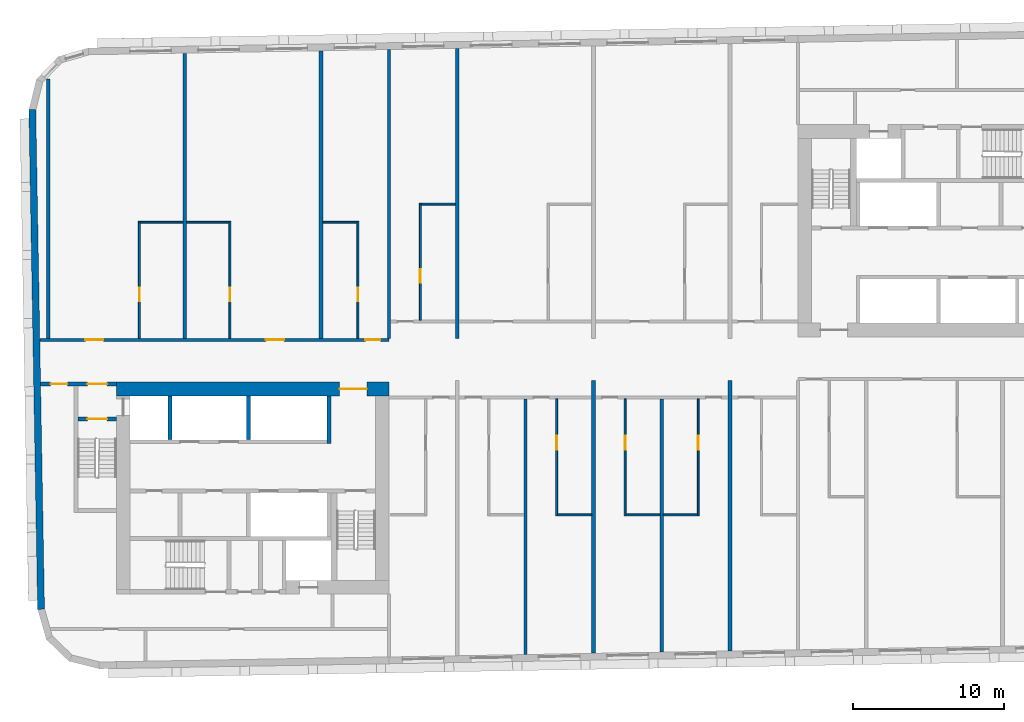
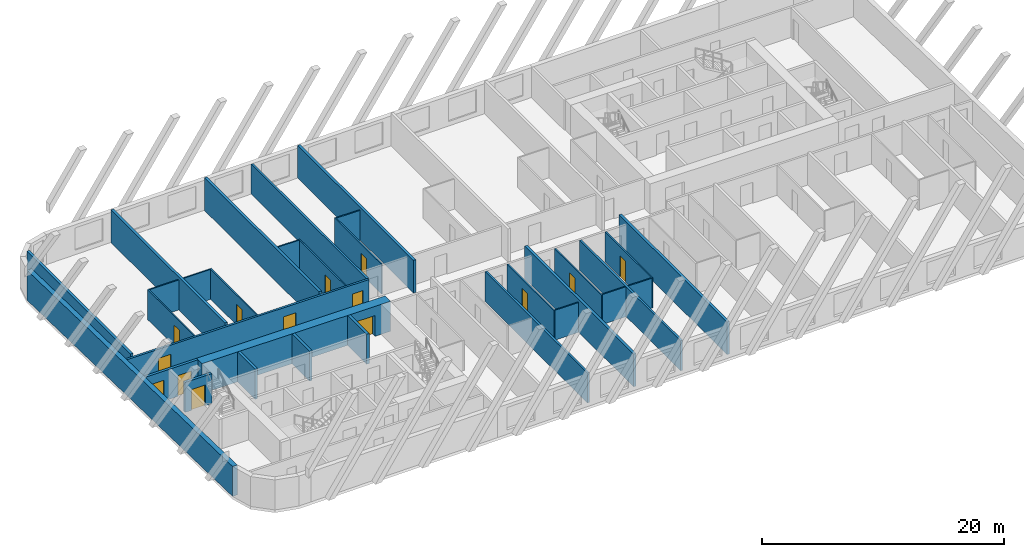
# One storey, part 3 of 12: 31 walls, 14 doors, 14 openings.
"""IFC4 building model written with IfcOpenShell, lengths in metres."""

from ifc_helpers import new_model, si_unit, direction, frame, frame_2d, origin, place, context, subcontext, project, spatial, rectangle, extrude, material, layer, layer_set, type_object, element, fill, save


model = new_model("IFC4")

# Units and contexts
model_context = context("Model", 3, precision=1e-05, world=origin(), true_north=direction((0.0, 1.0)))
body_context = subcontext(model_context, "Body", "Model", "MODEL_VIEW")
ifc_project = project(units=[si_unit("LENGTHUNIT", "METRE"), si_unit("AREAUNIT", "SQUARE_METRE"), si_unit("VOLUMEUNIT", "CUBIC_METRE"), si_unit("PLANEANGLEUNIT", "RADIAN"), si_unit("MASSUNIT", "GRAM", prefix="KILO")], contexts=[model_context])

# Site, building, storey
site_placement = place(None, origin())
site = spatial("IfcSite", under=ifc_project, at=site_placement, CompositionType="ELEMENT")
building_placement = place(site_placement, origin())
building = spatial("IfcBuilding", under=site, at=building_placement, Name="Kajstack Hotel Tower", CompositionType="ELEMENT")
storey_placement = place(building_placement, frame((0.0, 0.0, 247.39990234375)))
storey = spatial("IfcBuildingStorey", under=building, at=storey_placement, Name="L61", CompositionType="ELEMENT", Elevation=247.39990234375)

# Wall, opening, door
ifc_material_1 = material(Name="Concrete C60/75", Category="concrete")
ifc_layer_1 = layer(ifc_material_1, 0.89990234375)
ifc_layer_set_1 = layer_set([ifc_layer_1], Name="Core wall 900")
wall_type_1 = type_object("IfcWallType", Name="Core wall 900", PredefinedType="SHEAR", material=ifc_layer_set_1)
wall_1_placement = place(storey_placement, frame((-31.5, -1.949951171875, 0.0), z_axis=(0.0, 0.0, 1.0), x_axis=(1.0, 0.0, 0.0)))
wall_1 = element("IfcWall", 1, at=wall_1_placement, inside=storey, type_object=wall_type_1, Name="Core wall W RN", PredefinedType="SHEAR", context=body_context, shape_type="SweptSolid", body=[
    extrude(rectangle(XDim=18.0, YDim=0.89990234375, at=frame_2d((9.0, 0.0))), origin(), (0.0, 0.0, 1.0), 3.02001953125),
])
opening_1_placement = place(wall_1_placement, frame((14.72509765625, 0.0, 0.0)))
opening_1 = element("IfcOpeningElement", 2, at=opening_1_placement, cuts=wall_1, Name="Opening 61W07", PredefinedType="OPENING", context=body_context, shape_type="SweptSolid", body=[
    extrude(rectangle(XDim=1.800048828125, YDim=2.10009765625, at=frame_2d((0.89990234375, 1.050048828125))), frame((0.0, 0.4599609375, 0.0), z_axis=(0.0, -1.0, 0.0), x_axis=(1.0, 0.0, 0.0)), (0.0, 0.0, 1.0), 0.919921875),
])
ifc_material_2 = material(Name="Glazed steel frame, fire-rated glass", Category="steel")
door_type_1 = type_object("IfcDoorType", Name="Lobby double door 1800", OperationType="DOUBLE_DOOR_DOUBLE_SWING", PredefinedType="DOOR", material=ifc_material_2)
door_1_placement = place(opening_1_placement, origin())
door_1 = element("IfcDoor", 3, at=door_1_placement, inside=storey, type_object=door_type_1, Name="Door 61W07", OperationType="DOUBLE_DOOR_DOUBLE_SWING", OverallHeight=2.10009765625, OverallWidth=1.800048828125, PredefinedType="DOOR", context=body_context, shape_type="SweptSolid", body=[
    extrude(rectangle(XDim=1.800048828125, YDim=2.10009765625, at=frame_2d((0.89990234375, 1.050048828125))), frame((0.0, 0.02490234375, 0.0), z_axis=(0.0, -1.0, 0.0), x_axis=(1.0, 0.0, 0.0)), (0.0, 0.0, 1.0), 0.050048828125),
])
fill(opening_1, door_1)

# Wall, openings, doors
ifc_material_3 = material(Name="Gypsum board on steel studs, mineral wool", Category="steel")
ifc_layer_2 = layer(ifc_material_3, 0.199951171875)
ifc_layer_set_2 = layer_set([ifc_layer_2], Name="Corridor wall 200")
wall_type_2 = type_object("IfcWallType", Name="Corridor wall 200", PredefinedType="PARTITIONING", material=ifc_layer_set_2)
wall_2_placement = place(storey_placement, frame((-36.56591796875, 1.300048828125, 0.0), z_axis=(0.0, 0.0, 1.0), x_axis=(1.0, 0.0, 0.0)))
wall_2 = element("IfcWall", 4, at=wall_2_placement, inside=storey, type_object=wall_type_2, Name="G-wall-L61-003", PredefinedType="PARTITIONING", context=body_context, shape_type="SweptSolid", body=[
    extrude(rectangle(XDim=23.06591796875, YDim=0.199951171875, at=frame_2d((11.532958984375, 0.0))), origin(), (0.0, 0.0, 1.0), 3.02001953125),
])
opening_2_placement = place(wall_2_placement, frame((3.00390625, 0.0, 0.0)))
opening_2 = element("IfcOpeningElement", 5, at=opening_2_placement, cuts=wall_2, Name="Opening 61001", PredefinedType="OPENING", context=body_context, shape_type="SweptSolid", body=[
    extrude(rectangle(XDim=1.199951171875, YDim=2.10009765625, at=frame_2d((0.60009765625, 1.050048828125))), frame((0.0, 0.10986328125, 0.0), z_axis=(0.0, -1.0, 0.0), x_axis=(1.0, 0.0, 0.0)), (0.0, 0.0, 1.0), 0.219970703125),
])
opening_3_placement = place(wall_2_placement, frame((14.928955078125, 0.0, 0.0)))
opening_3 = element("IfcOpeningElement", 6, at=opening_3_placement, cuts=wall_2, Name="Opening 61003", PredefinedType="OPENING", context=body_context, shape_type="SweptSolid", body=[
    extrude(rectangle(XDim=1.199951171875, YDim=2.10009765625, at=frame_2d((0.60009765625, 1.050048828125))), frame((0.0, 0.10986328125, 0.0), z_axis=(0.0, -1.0, 0.0), x_axis=(1.0, 0.0, 0.0)), (0.0, 0.0, 1.0), 0.219970703125),
])
opening_4_placement = place(wall_2_placement, frame((21.490966796875, 0.0, 0.0)))
opening_4 = element("IfcOpeningElement", 7, at=opening_4_placement, cuts=wall_2, Name="Opening 61005", PredefinedType="OPENING", context=body_context, shape_type="SweptSolid", body=[
    extrude(rectangle(XDim=1.0, YDim=2.10009765625, at=frame_2d((0.5, 1.050048828125))), frame((0.0, 0.10986328125, 0.0), z_axis=(0.0, -1.0, 0.0), x_axis=(1.0, 0.0, 0.0)), (0.0, 0.0, 1.0), 0.219970703125),
])
ifc_material_4 = material(Name="Oak veneer on timber core, fire-rated leaf", Category="wood")
door_type_2 = type_object("IfcDoorType", Name="Flat entrance door 1000", OperationType="SINGLE_SWING_LEFT", PredefinedType="DOOR", material=ifc_material_4)
door_2_placement = place(opening_4_placement, origin())
door_2 = element("IfcDoor", 8, at=door_2_placement, inside=storey, type_object=door_type_2, Name="G-door-L61-05", OperationType="SINGLE_SWING_RIGHT", OverallHeight=2.10009765625, OverallWidth=1.0, PredefinedType="DOOR", context=body_context, shape_type="SweptSolid", body=[
    extrude(rectangle(XDim=1.0, YDim=2.10009765625, at=frame_2d((0.5, 1.050048828125))), frame((0.0, 0.02490234375, 0.0), z_axis=(0.0, -1.0, 0.0), x_axis=(1.0, 0.0, 0.0)), (0.0, 0.0, 1.0), 0.050048828125),
])
fill(opening_4, door_2)
door_type_3 = type_object("IfcDoorType", Name="Flat entrance door 1200", OperationType="SINGLE_SWING_LEFT", PredefinedType="DOOR", material=ifc_material_4)
door_3_placement = place(opening_2_placement, origin())
door_3 = element("IfcDoor", 9, at=door_3_placement, inside=storey, type_object=door_type_3, Name="G-door-L61-01", OperationType="SINGLE_SWING_LEFT", OverallHeight=2.10009765625, OverallWidth=1.199951171875, PredefinedType="DOOR", context=body_context, shape_type="SweptSolid", body=[
    extrude(rectangle(XDim=1.199951171875, YDim=2.10009765625, at=frame_2d((0.60009765625, 1.050048828125))), frame((0.0, 0.02490234375, 0.0), z_axis=(0.0, -1.0, 0.0), x_axis=(1.0, 0.0, 0.0)), (0.0, 0.0, 1.0), 0.050048828125),
])
fill(opening_2, door_3)
door_4_placement = place(opening_3_placement, origin())
door_4 = element("IfcDoor", 10, at=door_4_placement, inside=storey, type_object=door_type_3, Name="G-door-L61-03", OperationType="SINGLE_SWING_RIGHT", OverallHeight=2.10009765625, OverallWidth=1.199951171875, PredefinedType="DOOR", context=body_context, shape_type="SweptSolid", body=[
    extrude(rectangle(XDim=1.199951171875, YDim=2.10009765625, at=frame_2d((0.60009765625, 1.050048828125))), frame((0.0, 0.02490234375, 0.0), z_axis=(0.0, -1.0, 0.0), x_axis=(1.0, 0.0, 0.0)), (0.0, 0.0, 1.0), 0.050048828125),
])
fill(opening_3, door_4)

# Walls
ifc_material_5 = material(Name="Twin-frame gypsum board on steel studs, mineral wool", Category="steel")
ifc_layer_3 = layer(ifc_material_5, 0.199951171875)
ifc_layer_set_3 = layer_set([ifc_layer_3], Name="Demising wall 200")
wall_type_3 = type_object("IfcWallType", Name="Demising wall 200", PredefinedType="PARTITIONING", material=ifc_layer_set_3)
wall_3_placement = place(storey_placement, frame((-13.5, 1.39990234375, 0.0), z_axis=(0.0, 0.0, 1.0), x_axis=(0.0, 1.0, 0.0)))
element("IfcWall", 11, at=wall_3_placement, inside=storey, type_object=wall_type_3, Name="G-wall-L61-009", PredefinedType="PARTITIONING", context=body_context, shape_type="SweptSolid", body=[
    extrude(rectangle(XDim=19.065185546875, YDim=0.199951171875, at=frame_2d((9.53271484375, 0.0))), origin(), (0.0, 0.0, 1.0), 3.02001953125),
])
wall_4_placement = place(storey_placement, frame((-4.5, -19.48388671875, 0.0), z_axis=(0.0, 0.0, 1.0), x_axis=(0.0, 1.0, 0.0)))
element("IfcWall", 12, at=wall_4_placement, inside=storey, type_object=wall_type_3, Name="G-wall-L61-024", PredefinedType="PARTITIONING", context=body_context, shape_type="SweptSolid", body=[
    extrude(rectangle(XDim=16.8837890625, YDim=0.199951171875, at=frame_2d((8.44189453125, 0.0))), origin(), (0.0, 0.0, 1.0), 3.02001953125),
])
wall_5_placement = place(storey_placement, frame((4.5, -19.326904296875, 0.0), z_axis=(0.0, 0.0, 1.0), x_axis=(0.0, 1.0, 0.0)))
element("IfcWall", 13, at=wall_5_placement, inside=storey, type_object=wall_type_3, Name="G-wall-L61-029", PredefinedType="PARTITIONING", context=body_context, shape_type="SweptSolid", body=[
    extrude(rectangle(XDim=16.726806640625, YDim=0.199951171875, at=frame_2d((8.36328125, 0.0))), origin(), (0.0, 0.0, 1.0), 3.02001953125),
])
ifc_material_6 = material(Name="Terracotta-faced brick masonry", Category="masonry")
ifc_layer_4 = layer(ifc_material_6, 0.449951171875)
ifc_layer_set_4 = layer_set([ifc_layer_4], Name="EW-TERRA")
wall_type_4 = type_object("IfcWallType", Name="EW-TERRA", PredefinedType="SOLIDWALL", material=ifc_layer_set_4)
wall_6_placement = place(storey_placement, frame((-37.056884765625, 16.50341796875, 0.0), z_axis=(0.0, 0.0, 1.0), x_axis=(0.017452279857, -0.999847697366, 0.0)))
element("IfcWall", 14, at=wall_6_placement, inside=storey, type_object=wall_type_4, Name="E-wall-L61-00-00", PredefinedType="SOLIDWALL", context=body_context, shape_type="SweptSolid", body=[
    extrude(rectangle(XDim=33.000244140625, YDim=0.449951171875, at=frame_2d((16.5, 0.0))), origin(), (0.0, 0.0, 1.0), 3.02001953125),
])

# Wall, opening, door
ifc_material_7 = material(Name="Gypsum board and tiled backer on steel studs", Category="steel")
ifc_layer_5 = layer(ifc_material_7, 0.125)
ifc_layer_set_5 = layer_set([ifc_layer_5], Name="En-suite wall 125")
wall_type_5 = type_object("IfcWallType", Name="En-suite wall 125", PredefinedType="PARTITIONING", material=ifc_layer_set_5)
wall_7_placement = place(storey_placement, frame((-29.988037109375, 1.39990234375, 0.0), z_axis=(0.0, 0.0, 1.0), x_axis=(0.0, 1.0, 0.0)))
wall_7 = element("IfcWall", 15, at=wall_7_placement, inside=storey, type_object=wall_type_5, Name="G-wall-L61-005", PredefinedType="PARTITIONING", context=body_context, shape_type="SweptSolid", body=[
    extrude(rectangle(XDim=7.72509765625, YDim=0.125, at=frame_2d((3.862548828125, 0.0))), origin(), (0.0, 0.0, 1.0), 3.02001953125),
])
opening_5_placement = place(wall_7_placement, frame((2.449951171875, 0.0, 0.0)))
opening_5 = element("IfcOpeningElement", 16, at=opening_5_placement, cuts=wall_7, Name="Opening 61002", PredefinedType="OPENING", context=body_context, shape_type="SweptSolid", body=[
    extrude(rectangle(XDim=0.89990234375, YDim=2.10009765625, at=frame_2d((0.449951171875, 1.050048828125))), frame((0.0, 0.072509765625, 0.0), z_axis=(0.0, -1.0, 0.0), x_axis=(1.0, 0.0, 0.0)), (0.0, 0.0, 1.0), 0.14501953125),
])
ifc_material_8 = material(Name="Painted timber door leaf", Category="wood")
door_type_4 = type_object("IfcDoorType", Name="Room door 900", OperationType="SINGLE_SWING_LEFT", PredefinedType="DOOR", material=ifc_material_8)
door_5_placement = place(opening_5_placement, origin())
door_5 = element("IfcDoor", 17, at=door_5_placement, inside=storey, type_object=door_type_4, Name="G-door-L61-02", OperationType="SINGLE_SWING_RIGHT", OverallHeight=2.10009765625, OverallWidth=0.89990234375, PredefinedType="DOOR", context=body_context, shape_type="SweptSolid", body=[
    extrude(rectangle(XDim=0.89990234375, YDim=2.10009765625, at=frame_2d((0.449951171875, 1.050048828125))), frame((0.0, 0.02490234375, 0.0), z_axis=(0.0, -1.0, 0.0), x_axis=(1.0, 0.0, 0.0)), (0.0, 0.0, 1.0), 0.050048828125),
])
fill(opening_5, door_5)

# Wall
wall_8_placement = place(storey_placement, frame((-29.925048828125, 9.06201171875, 0.0), z_axis=(0.0, 0.0, 1.0), x_axis=(1.0, 0.0, 0.0)))
element("IfcWall", 18, at=wall_8_placement, inside=storey, type_object=wall_type_5, Name="G-wall-L61-006", PredefinedType="PARTITIONING", context=body_context, shape_type="SweptSolid", body=[
    extrude(rectangle(XDim=2.800048828125, YDim=0.125, at=frame_2d((1.39990234375, 0.0))), origin(), (0.0, 0.0, 1.0), 3.02001953125),
])

# Wall, opening, door
wall_9_placement = place(storey_placement, frame((-24.011962890625, 1.39990234375, 0.0), z_axis=(0.0, 0.0, 1.0), x_axis=(0.0, 1.0, 0.0)))
wall_9 = element("IfcWall", 19, at=wall_9_placement, inside=storey, type_object=wall_type_5, Name="G-wall-L61-007", PredefinedType="PARTITIONING", context=body_context, shape_type="SweptSolid", body=[
    extrude(rectangle(XDim=7.72509765625, YDim=0.125, at=frame_2d((3.862548828125, 0.0))), origin(), (0.0, 0.0, 1.0), 3.02001953125),
])
opening_6_placement = place(wall_9_placement, frame((2.449951171875, 0.0, 0.0)))
opening_6 = element("IfcOpeningElement", 20, at=opening_6_placement, cuts=wall_9, Name="Opening 61004", PredefinedType="OPENING", context=body_context, shape_type="SweptSolid", body=[
    extrude(rectangle(XDim=0.89990234375, YDim=2.10009765625, at=frame_2d((0.449951171875, 1.050048828125))), frame((0.0, 0.072509765625, 0.0), z_axis=(0.0, -1.0, 0.0), x_axis=(1.0, 0.0, 0.0)), (0.0, 0.0, 1.0), 0.14501953125),
])
door_6_placement = place(opening_6_placement, origin())
door_6 = element("IfcDoor", 21, at=door_6_placement, inside=storey, type_object=door_type_4, Name="G-door-L61-04", OperationType="SINGLE_SWING_LEFT", OverallHeight=2.10009765625, OverallWidth=0.89990234375, PredefinedType="DOOR", context=body_context, shape_type="SweptSolid", body=[
    extrude(rectangle(XDim=0.89990234375, YDim=2.10009765625, at=frame_2d((0.449951171875, 1.050048828125))), frame((0.0, 0.02490234375, 0.0), z_axis=(0.0, -1.0, 0.0), x_axis=(1.0, 0.0, 0.0)), (0.0, 0.0, 1.0), 0.050048828125),
])
fill(opening_6, door_6)

# Wall
wall_10_placement = place(storey_placement, frame((-26.875, 9.06201171875, 0.0), z_axis=(0.0, 0.0, 1.0), x_axis=(1.0, 0.0, 0.0)))
element("IfcWall", 22, at=wall_10_placement, inside=storey, type_object=wall_type_5, Name="G-wall-L61-008", PredefinedType="PARTITIONING", context=body_context, shape_type="SweptSolid", body=[
    extrude(rectangle(XDim=2.800048828125, YDim=0.125, at=frame_2d((1.39990234375, 0.0))), origin(), (0.0, 0.0, 1.0), 3.02001953125),
])

# Wall, opening, door
wall_11_placement = place(storey_placement, frame((-15.56201171875, 1.39990234375, 0.0), z_axis=(0.0, 0.0, 1.0), x_axis=(0.0, 1.0, 0.0)))
wall_11 = element("IfcWall", 23, at=wall_11_placement, inside=storey, type_object=wall_type_5, Name="G-wall-L61-010", PredefinedType="PARTITIONING", context=body_context, shape_type="SweptSolid", body=[
    extrude(rectangle(XDim=7.72509765625, YDim=0.125, at=frame_2d((3.862548828125, 0.0))), origin(), (0.0, 0.0, 1.0), 3.02001953125),
])
opening_7_placement = place(wall_11_placement, frame((2.449951171875, 0.0, 0.0)))
opening_7 = element("IfcOpeningElement", 24, at=opening_7_placement, cuts=wall_11, Name="Opening 61006", PredefinedType="OPENING", context=body_context, shape_type="SweptSolid", body=[
    extrude(rectangle(XDim=0.89990234375, YDim=2.10009765625, at=frame_2d((0.449951171875, 1.050048828125))), frame((0.0, 0.072509765625, 0.0), z_axis=(0.0, -1.0, 0.0), x_axis=(1.0, 0.0, 0.0)), (0.0, 0.0, 1.0), 0.14501953125),
])
door_7_placement = place(opening_7_placement, origin())
door_7 = element("IfcDoor", 25, at=door_7_placement, inside=storey, type_object=door_type_4, Name="G-door-L61-06", OperationType="SINGLE_SWING_LEFT", OverallHeight=2.10009765625, OverallWidth=0.89990234375, PredefinedType="DOOR", context=body_context, shape_type="SweptSolid", body=[
    extrude(rectangle(XDim=0.89990234375, YDim=2.10009765625, at=frame_2d((0.449951171875, 1.050048828125))), frame((0.0, 0.02490234375, 0.0), z_axis=(0.0, -1.0, 0.0), x_axis=(1.0, 0.0, 0.0)), (0.0, 0.0, 1.0), 0.050048828125),
])
fill(opening_7, door_7)

# Wall
wall_12_placement = place(storey_placement, frame((-17.875, 9.06201171875, 0.0), z_axis=(0.0, 0.0, 1.0), x_axis=(1.0, 0.0, 0.0)))
element("IfcWall", 26, at=wall_12_placement, inside=storey, type_object=wall_type_5, Name="G-wall-L61-011", PredefinedType="PARTITIONING", context=body_context, shape_type="SweptSolid", body=[
    extrude(rectangle(XDim=2.25, YDim=0.125, at=frame_2d((1.125, 0.0))), origin(), (0.0, 0.0, 1.0), 3.02001953125),
])

# Wall, opening, door
wall_13_placement = place(storey_placement, frame((-11.43798828125, 2.60009765625, 0.0), z_axis=(0.0, 0.0, 1.0), x_axis=(0.0, 1.0, 0.0)))
wall_13 = element("IfcWall", 27, at=wall_13_placement, inside=storey, type_object=wall_type_5, Name="G-wall-L61-012", PredefinedType="PARTITIONING", context=body_context, shape_type="SweptSolid", body=[
    extrude(rectangle(XDim=7.724853515625, YDim=0.125, at=frame_2d((3.8623046875, 0.0))), origin(), (0.0, 0.0, 1.0), 3.02001953125),
])
opening_8_placement = place(wall_13_placement, frame((2.449951171875, 0.0, 0.0)))
opening_8 = element("IfcOpeningElement", 28, at=opening_8_placement, cuts=wall_13, Name="Opening 61008", PredefinedType="OPENING", context=body_context, shape_type="SweptSolid", body=[
    extrude(rectangle(XDim=0.89990234375, YDim=2.10009765625, at=frame_2d((0.449951171875, 1.050048828125))), frame((0.0, 0.072509765625, 0.0), z_axis=(0.0, -1.0, 0.0), x_axis=(1.0, 0.0, 0.0)), (0.0, 0.0, 1.0), 0.14501953125),
])
door_8_placement = place(opening_8_placement, origin())
door_8 = element("IfcDoor", 29, at=door_8_placement, inside=storey, type_object=door_type_4, Name="G-door-L61-08", OperationType="SINGLE_SWING_RIGHT", OverallHeight=2.10009765625, OverallWidth=0.89990234375, PredefinedType="DOOR", context=body_context, shape_type="SweptSolid", body=[
    extrude(rectangle(XDim=0.89990234375, YDim=2.10009765625, at=frame_2d((0.449951171875, 1.050048828125))), frame((0.0, 0.02490234375, 0.0), z_axis=(0.0, -1.0, 0.0), x_axis=(1.0, 0.0, 0.0)), (0.0, 0.0, 1.0), 0.050048828125),
])
fill(opening_8, door_8)

# Wall
wall_14_placement = place(storey_placement, frame((-11.375, 10.261962890625, 0.0), z_axis=(0.0, 0.0, 1.0), x_axis=(1.0, 0.0, 0.0)))
element("IfcWall", 30, at=wall_14_placement, inside=storey, type_object=wall_type_5, Name="G-wall-L61-013", PredefinedType="PARTITIONING", context=body_context, shape_type="SweptSolid", body=[
    extrude(rectangle(XDim=2.25, YDim=0.125, at=frame_2d((1.125, 0.0))), origin(), (0.0, 0.0, 1.0), 3.02001953125),
])

# Wall, opening, door
wall_15_placement = place(storey_placement, frame((-2.43798828125, -10.324951171875, 0.0), z_axis=(0.0, 0.0, 1.0), x_axis=(0.0, 1.0, 0.0)))
wall_15 = element("IfcWall", 31, at=wall_15_placement, inside=storey, type_object=wall_type_5, Name="G-wall-L61-027", PredefinedType="PARTITIONING", context=body_context, shape_type="SweptSolid", body=[
    extrude(rectangle(XDim=7.724853515625, YDim=0.125, at=frame_2d((3.8623046875, 0.0))), origin(), (0.0, 0.0, 1.0), 3.02001953125),
])
opening_9_placement = place(wall_15_placement, frame((4.375, 0.0, 0.0)))
opening_9 = element("IfcOpeningElement", 32, at=opening_9_placement, cuts=wall_15, Name="Opening 61020", PredefinedType="OPENING", context=body_context, shape_type="SweptSolid", body=[
    extrude(rectangle(XDim=0.89990234375, YDim=2.10009765625, at=frame_2d((0.449951171875, 1.050048828125))), frame((0.0, 0.072509765625, 0.0), z_axis=(0.0, -1.0, 0.0), x_axis=(1.0, 0.0, 0.0)), (0.0, 0.0, 1.0), 0.14501953125),
])
door_9_placement = place(opening_9_placement, origin())
door_9 = element("IfcDoor", 33, at=door_9_placement, inside=storey, type_object=door_type_4, Name="G-door-L61-20", OperationType="SINGLE_SWING_RIGHT", OverallHeight=2.10009765625, OverallWidth=0.89990234375, PredefinedType="DOOR", context=body_context, shape_type="SweptSolid", body=[
    extrude(rectangle(XDim=0.89990234375, YDim=2.10009765625, at=frame_2d((0.449951171875, 1.050048828125))), frame((0.0, 0.02490234375, 0.0), z_axis=(0.0, -1.0, 0.0), x_axis=(1.0, 0.0, 0.0)), (0.0, 0.0, 1.0), 0.050048828125),
])
fill(opening_9, door_9)

# Wall
wall_16_placement = place(storey_placement, frame((-2.375, -10.261962890625, 0.0), z_axis=(0.0, 0.0, 1.0), x_axis=(1.0, 0.0, 0.0)))
element("IfcWall", 34, at=wall_16_placement, inside=storey, type_object=wall_type_5, Name="G-wall-L61-028", PredefinedType="PARTITIONING", context=body_context, shape_type="SweptSolid", body=[
    extrude(rectangle(XDim=2.25, YDim=0.125, at=frame_2d((1.125, 0.0))), origin(), (0.0, 0.0, 1.0), 3.02001953125),
])

# Wall, opening, door
wall_17_placement = place(storey_placement, frame((2.0869140625, -10.324951171875, 0.0), z_axis=(0.0, 0.0, 1.0), x_axis=(0.0, 1.0, 0.0)))
wall_17 = element("IfcWall", 35, at=wall_17_placement, inside=storey, type_object=wall_type_5, Name="G-wall-L61-030", PredefinedType="PARTITIONING", context=body_context, shape_type="SweptSolid", body=[
    extrude(rectangle(XDim=7.724853515625, YDim=0.125, at=frame_2d((3.8623046875, 0.0))), origin(), (0.0, 0.0, 1.0), 3.02001953125),
])
opening_10_placement = place(wall_17_placement, frame((4.375, 0.0, 0.0)))
opening_10 = element("IfcOpeningElement", 36, at=opening_10_placement, cuts=wall_17, Name="Opening 61022", PredefinedType="OPENING", context=body_context, shape_type="SweptSolid", body=[
    extrude(rectangle(XDim=0.89990234375, YDim=2.10009765625, at=frame_2d((0.449951171875, 1.050048828125))), frame((0.0, 0.072509765625, 0.0), z_axis=(0.0, -1.0, 0.0), x_axis=(1.0, 0.0, 0.0)), (0.0, 0.0, 1.0), 0.14501953125),
])
door_10_placement = place(opening_10_placement, origin())
door_10 = element("IfcDoor", 37, at=door_10_placement, inside=storey, type_object=door_type_4, Name="G-door-L61-22", OperationType="SINGLE_SWING_RIGHT", OverallHeight=2.10009765625, OverallWidth=0.89990234375, PredefinedType="DOOR", context=body_context, shape_type="SweptSolid", body=[
    extrude(rectangle(XDim=0.89990234375, YDim=2.10009765625, at=frame_2d((0.449951171875, 1.050048828125))), frame((0.0, 0.02490234375, 0.0), z_axis=(0.0, -1.0, 0.0), x_axis=(1.0, 0.0, 0.0)), (0.0, 0.0, 1.0), 0.050048828125),
])
fill(opening_10, door_10)

# Wall
wall_18_placement = place(storey_placement, frame((2.14990234375, -10.261962890625, 0.0), z_axis=(0.0, 0.0, 1.0), x_axis=(1.0, 0.0, 0.0)))
element("IfcWall", 38, at=wall_18_placement, inside=storey, type_object=wall_type_5, Name="G-wall-L61-031", PredefinedType="PARTITIONING", context=body_context, shape_type="SweptSolid", body=[
    extrude(rectangle(XDim=2.25, YDim=0.125, at=frame_2d((1.125, 0.0))), origin(), (0.0, 0.0, 1.0), 3.02001953125),
])

# Wall, opening, door
wall_19_placement = place(storey_placement, frame((6.912109375, -10.324951171875, 0.0), z_axis=(0.0, 0.0, 1.0), x_axis=(0.0, 1.0, 0.0)))
wall_19 = element("IfcWall", 39, at=wall_19_placement, inside=storey, type_object=wall_type_5, Name="G-wall-L61-032", PredefinedType="PARTITIONING", context=body_context, shape_type="SweptSolid", body=[
    extrude(rectangle(XDim=7.724853515625, YDim=0.125, at=frame_2d((3.8623046875, 0.0))), origin(), (0.0, 0.0, 1.0), 3.02001953125),
])
opening_11_placement = place(wall_19_placement, frame((4.375, 0.0, 0.0)))
opening_11 = element("IfcOpeningElement", 40, at=opening_11_placement, cuts=wall_19, Name="Opening 61024", PredefinedType="OPENING", context=body_context, shape_type="SweptSolid", body=[
    extrude(rectangle(XDim=0.89990234375, YDim=2.10009765625, at=frame_2d((0.449951171875, 1.050048828125))), frame((0.0, 0.072509765625, 0.0), z_axis=(0.0, -1.0, 0.0), x_axis=(1.0, 0.0, 0.0)), (0.0, 0.0, 1.0), 0.14501953125),
])
door_11_placement = place(opening_11_placement, origin())
door_11 = element("IfcDoor", 41, at=door_11_placement, inside=storey, type_object=door_type_4, Name="G-door-L61-24", OperationType="SINGLE_SWING_RIGHT", OverallHeight=2.10009765625, OverallWidth=0.89990234375, PredefinedType="DOOR", context=body_context, shape_type="SweptSolid", body=[
    extrude(rectangle(XDim=0.89990234375, YDim=2.10009765625, at=frame_2d((0.449951171875, 1.050048828125))), frame((0.0, 0.02490234375, 0.0), z_axis=(0.0, -1.0, 0.0), x_axis=(1.0, 0.0, 0.0)), (0.0, 0.0, 1.0), 0.050048828125),
])
fill(opening_11, door_11)

# Walls
wall_20_placement = place(storey_placement, frame((4.60009765625, -10.261962890625, 0.0), z_axis=(0.0, 0.0, 1.0), x_axis=(1.0, 0.0, 0.0)))
element("IfcWall", 42, at=wall_20_placement, inside=storey, type_object=wall_type_5, Name="G-wall-L61-033", PredefinedType="PARTITIONING", context=body_context, shape_type="SweptSolid", body=[
    extrude(rectangle(XDim=2.25, YDim=0.125, at=frame_2d((1.125, 0.0))), origin(), (0.0, 0.0, 1.0), 3.02001953125),
])
ifc_material_9 = material(Name="Concrete C50/60", Category="concrete")
ifc_layer_6 = layer(ifc_material_9, 0.300048828125)
ifc_layer_set_6 = layer_set([ifc_layer_6], Name="Hoistway divider wall 300")
wall_type_6 = type_object("IfcWallType", Name="Hoistway divider wall 300", PredefinedType="SHEAR", material=ifc_layer_set_6)
wall_21_placement = place(storey_placement, frame((-22.77490234375, -5.300048828125, 0.0), z_axis=(0.0, 0.0, 1.0), x_axis=(0.0, 1.0, 0.0)))
element("IfcWall", 43, at=wall_21_placement, inside=storey, type_object=wall_type_6, Name="Core wall W AP2", PredefinedType="SHEAR", context=body_context, shape_type="SweptSolid", body=[
    extrude(rectangle(XDim=2.900146484375, YDim=0.25, at=frame_2d((1.4501953125, 0.0))), origin(), (0.0, 0.0, 1.0), 3.02001953125),
])
ifc_material_10 = material(Name="Concrete C45/55", Category="concrete")
ifc_layer_7 = layer(ifc_material_10, 0.25)
ifc_layer_set_7 = layer_set([ifc_layer_7], Name="RC cross wall 250 C45/55")
wall_type_7 = type_object("IfcWallType", Name="RC cross wall 250 C45/55", PredefinedType="SHEAR", material=ifc_layer_set_7)
wall_22_placement = place(storey_placement, frame((-36.0, 1.39990234375, 0.0), z_axis=(0.0, 0.0, 1.0), x_axis=(0.0, 1.0, 0.0)))
element("IfcWall", 44, at=wall_22_placement, inside=storey, type_object=wall_type_7, Name="S-wall-L61-01", PredefinedType="SHEAR", context=body_context, shape_type="SweptSolid", body=[
    extrude(rectangle(XDim=17.12548828125, YDim=0.25, at=frame_2d((8.562744140625, 0.0))), origin(), (0.0, 0.0, 1.0), 3.300048828125),
])
wall_23_placement = place(storey_placement, frame((-27.0, 1.39990234375, 0.0), z_axis=(0.0, 0.0, 1.0), x_axis=(0.0, 1.0, 0.0)))
element("IfcWall", 45, at=wall_23_placement, inside=storey, type_object=wall_type_7, Name="S-wall-L61-02", PredefinedType="SHEAR", context=body_context, shape_type="SweptSolid", body=[
    extrude(rectangle(XDim=18.8173828125, YDim=0.25, at=frame_2d((9.40869140625, 0.0))), origin(), (0.0, 0.0, 1.0), 3.300048828125),
])
wall_24_placement = place(storey_placement, frame((-18.0, 1.39990234375, 0.0), z_axis=(0.0, 0.0, 1.0), x_axis=(0.0, 1.0, 0.0)))
element("IfcWall", 46, at=wall_24_placement, inside=storey, type_object=wall_type_7, Name="S-wall-L61-03", PredefinedType="SHEAR", context=body_context, shape_type="SweptSolid", body=[
    extrude(rectangle(XDim=18.974365234375, YDim=0.25, at=frame_2d((9.4873046875, 0.0))), origin(), (0.0, 0.0, 1.0), 3.300048828125),
])
wall_25_placement = place(storey_placement, frame((-9.0, 1.39990234375, 0.0), z_axis=(0.0, 0.0, 1.0), x_axis=(0.0, 1.0, 0.0)))
element("IfcWall", 47, at=wall_25_placement, inside=storey, type_object=wall_type_7, Name="S-wall-L61-05", PredefinedType="SHEAR", context=body_context, shape_type="SweptSolid", body=[
    extrude(rectangle(XDim=19.131591796875, YDim=0.25, at=frame_2d((9.56591796875, 0.0))), origin(), (0.0, 0.0, 1.0), 3.300048828125),
])
wall_26_placement = place(storey_placement, frame((0.0, -19.393310546875, 0.0), z_axis=(0.0, 0.0, 1.0), x_axis=(0.0, 1.0, 0.0)))
element("IfcWall", 48, at=wall_26_placement, inside=storey, type_object=wall_type_7, Name="S-wall-L61-06", PredefinedType="SHEAR", context=body_context, shape_type="SweptSolid", body=[
    extrude(rectangle(XDim=17.993408203125, YDim=0.25, at=frame_2d((8.99658203125, 0.0))), origin(), (0.0, 0.0, 1.0), 3.300048828125),
])
wall_27_placement = place(storey_placement, frame((9.0, -19.236083984375, 0.0), z_axis=(0.0, 0.0, 1.0), x_axis=(0.0, 1.0, 0.0)))
element("IfcWall", 49, at=wall_27_placement, inside=storey, type_object=wall_type_7, Name="S-wall-L61-08", PredefinedType="SHEAR", context=body_context, shape_type="SweptSolid", body=[
    extrude(rectangle(XDim=17.836181640625, YDim=0.25, at=frame_2d((8.91796875, 0.0))), origin(), (0.0, 0.0, 1.0), 3.300048828125),
])

# Wall, openings, doors
ifc_layer_8 = layer(ifc_material_3, 0.199951171875)
ifc_layer_set_8 = layer_set([ifc_layer_8], Name="Service partition 200")
wall_type_8 = type_object("IfcWallType", Name="Service partition 200", PredefinedType="PARTITIONING", material=ifc_layer_set_8)
wall_28_placement = place(storey_placement, frame((-36.515380859375, -1.625, 0.0), z_axis=(0.0, 0.0, 1.0), x_axis=(1.0, 0.0, 0.0)))
wall_28 = element("IfcWall", 50, at=wall_28_placement, inside=storey, type_object=wall_type_8, Name="Partition W SN", PredefinedType="PARTITIONING", context=body_context, shape_type="SweptSolid", body=[
    extrude(rectangle(XDim=5.015380859375, YDim=0.25, at=frame_2d((2.5078125, 0.0))), origin(), (0.0, 0.0, 1.0), 3.02001953125),
])
opening_12_placement = place(wall_28_placement, frame((3.09033203125, 0.0, 0.0)))
opening_12 = element("IfcOpeningElement", 51, at=opening_12_placement, cuts=wall_28, Name="Opening 61W08", PredefinedType="OPENING", context=body_context, shape_type="SweptSolid", body=[
    extrude(rectangle(XDim=1.300048828125, YDim=2.10009765625, at=frame_2d((0.64990234375, 1.050048828125))), frame((0.0, 0.135009765625, 0.0), z_axis=(0.0, -1.0, 0.0), x_axis=(1.0, 0.0, 0.0)), (0.0, 0.0, 1.0), 0.27001953125),
])
opening_13_placement = place(wall_28_placement, frame((0.665283203125, 0.0, 0.0)))
opening_13 = element("IfcOpeningElement", 52, at=opening_13_placement, cuts=wall_28, Name="Opening 61W10", PredefinedType="OPENING", context=body_context, shape_type="SweptSolid", body=[
    extrude(rectangle(XDim=1.10009765625, YDim=2.10009765625, at=frame_2d((0.550048828125, 1.050048828125))), frame((0.0, 0.135009765625, 0.0), z_axis=(0.0, -1.0, 0.0), x_axis=(1.0, 0.0, 0.0)), (0.0, 0.0, 1.0), 0.27001953125),
])
ifc_material_11 = material(Name="Steel leaf, fire-rated", Category="steel")
door_type_5 = type_object("IfcDoorType", Name="Fire lobby door 1300", OperationType="SINGLE_SWING_LEFT", PredefinedType="DOOR", material=ifc_material_11)
door_12_placement = place(opening_12_placement, origin())
door_12 = element("IfcDoor", 53, at=door_12_placement, inside=storey, type_object=door_type_5, Name="Door 61W08", OperationType="SINGLE_SWING_RIGHT", OverallHeight=2.10009765625, OverallWidth=1.300048828125, PredefinedType="DOOR", context=body_context, shape_type="SweptSolid", body=[
    extrude(rectangle(XDim=1.300048828125, YDim=2.10009765625, at=frame_2d((0.64990234375, 1.050048828125))), frame((0.0, 0.02490234375, 0.0), z_axis=(0.0, -1.0, 0.0), x_axis=(1.0, 0.0, 0.0)), (0.0, 0.0, 1.0), 0.050048828125),
])
fill(opening_12, door_12)
ifc_material_12 = material(Name="Timber leaf, fire-rated", Category="wood")
door_type_6 = type_object("IfcDoorType", Name="Service corridor door 1100", OperationType="SINGLE_SWING_LEFT", PredefinedType="DOOR", material=ifc_material_12)
door_13_placement = place(opening_13_placement, origin())
door_13 = element("IfcDoor", 54, at=door_13_placement, inside=storey, type_object=door_type_6, Name="Door 61W10", OperationType="SINGLE_SWING_RIGHT", OverallHeight=2.10009765625, OverallWidth=1.10009765625, PredefinedType="DOOR", context=body_context, shape_type="SweptSolid", body=[
    extrude(rectangle(XDim=1.10009765625, YDim=2.10009765625, at=frame_2d((0.550048828125, 1.050048828125))), frame((0.0, 0.02490234375, 0.0), z_axis=(0.0, -1.0, 0.0), x_axis=(1.0, 0.0, 0.0)), (0.0, 0.0, 1.0), 0.050048828125),
])
fill(opening_13, door_13)

# Walls
ifc_layer_9 = layer(ifc_material_9, 0.25)
ifc_layer_set_9 = layer_set([ifc_layer_9], Name="Shaft wall 250")
wall_type_9 = type_object("IfcWallType", Name="Shaft wall 250", PredefinedType="SHEAR", material=ifc_layer_set_9)
wall_29_placement = place(storey_placement, frame((-17.47509765625, -5.550048828125, 0.0), z_axis=(0.0, 0.0, 1.0), x_axis=(0.0, 1.0, 0.0)))
element("IfcWall", 55, at=wall_29_placement, inside=storey, type_object=wall_type_9, Name="Core wall W AE", PredefinedType="SHEAR", context=body_context, shape_type="SweptSolid", body=[
    extrude(rectangle(XDim=3.150146484375, YDim=0.25, at=frame_2d((1.5751953125, 0.0))), origin(), (0.0, 0.0, 1.0), 3.02001953125),
])
wall_30_placement = place(storey_placement, frame((-27.97509765625, -5.300048828125, 0.0), z_axis=(0.0, 0.0, 1.0), x_axis=(0.0, 1.0, 0.0)))
element("IfcWall", 56, at=wall_30_placement, inside=storey, type_object=wall_type_9, Name="Core wall W AP0", PredefinedType="SHEAR", context=body_context, shape_type="SweptSolid", body=[
    extrude(rectangle(XDim=2.900146484375, YDim=0.25, at=frame_2d((1.4501953125, 0.0))), origin(), (0.0, 0.0, 1.0), 3.02001953125),
])

# Wall, opening, door
ifc_material_13 = material(Name="Concrete C40/50", Category="concrete")
ifc_layer_10 = layer(ifc_material_13, 0.25)
ifc_layer_set_10 = layer_set([ifc_layer_10], Name="Stair enclosure wall 250")
wall_type_10 = type_object("IfcWallType", Name="Stair enclosure wall 250", PredefinedType="SHEAR", material=ifc_layer_set_10)
wall_31_placement = place(storey_placement, frame((-34.050048828125, -3.925048828125, 0.0), z_axis=(0.0, 0.0, 1.0), x_axis=(1.0, 0.0, 0.0)))
wall_31 = element("IfcWall", 57, at=wall_31_placement, inside=storey, type_object=wall_type_10, Name="Core wall W W1N", PredefinedType="SHEAR", context=body_context, shape_type="SweptSolid", body=[
    extrude(rectangle(XDim=2.550048828125, YDim=0.25, at=frame_2d((1.27490234375, 0.0))), origin(), (0.0, 0.0, 1.0), 3.02001953125),
])
opening_14_placement = place(wall_31_placement, frame((0.625, 0.0, 0.0)))
opening_14 = element("IfcOpeningElement", 58, at=opening_14_placement, cuts=wall_31, Name="Opening 61W09", PredefinedType="OPENING", context=body_context, shape_type="SweptSolid", body=[
    extrude(rectangle(XDim=1.300048828125, YDim=2.10009765625, at=frame_2d((0.64990234375, 1.050048828125))), frame((0.0, 0.135009765625, 0.0), z_axis=(0.0, -1.0, 0.0), x_axis=(1.0, 0.0, 0.0)), (0.0, 0.0, 1.0), 0.27001953125),
])
door_type_7 = type_object("IfcDoorType", Name="Stair door 1300", OperationType="SINGLE_SWING_LEFT", PredefinedType="DOOR", material=ifc_material_11)
door_14_placement = place(opening_14_placement, origin())
door_14 = element("IfcDoor", 59, at=door_14_placement, inside=storey, type_object=door_type_7, Name="Door 61W09", OperationType="SINGLE_SWING_RIGHT", OverallHeight=2.10009765625, OverallWidth=1.300048828125, PredefinedType="DOOR", context=body_context, shape_type="SweptSolid", body=[
    extrude(rectangle(XDim=1.300048828125, YDim=2.10009765625, at=frame_2d((0.64990234375, 1.050048828125))), frame((0.0, 0.02490234375, 0.0), z_axis=(0.0, -1.0, 0.0), x_axis=(1.0, 0.0, 0.0)), (0.0, 0.0, 1.0), 0.050048828125),
])
fill(opening_14, door_14)

save(model, "model.ifc")
